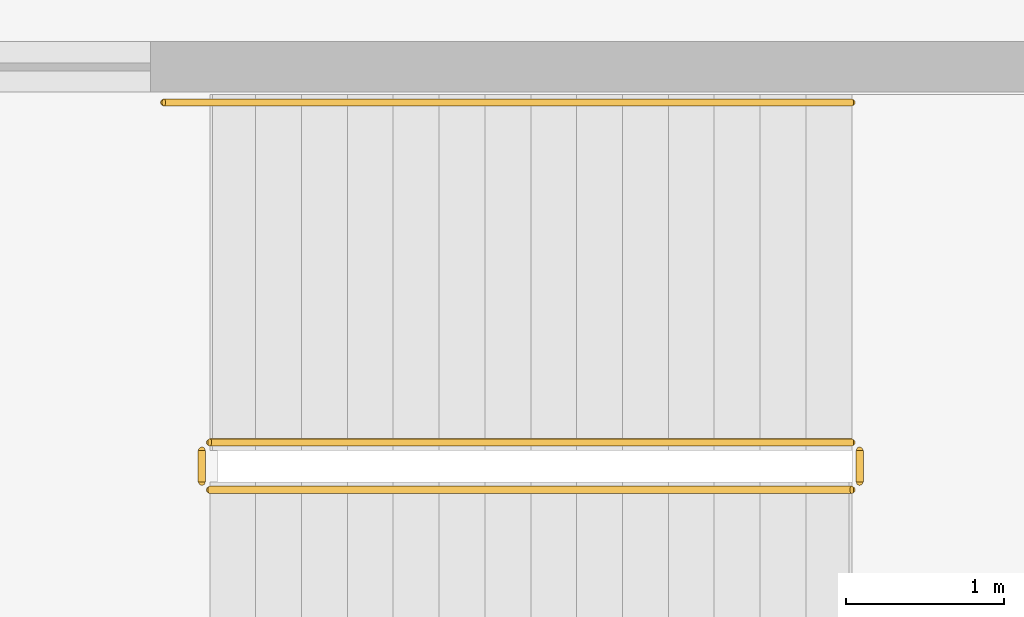
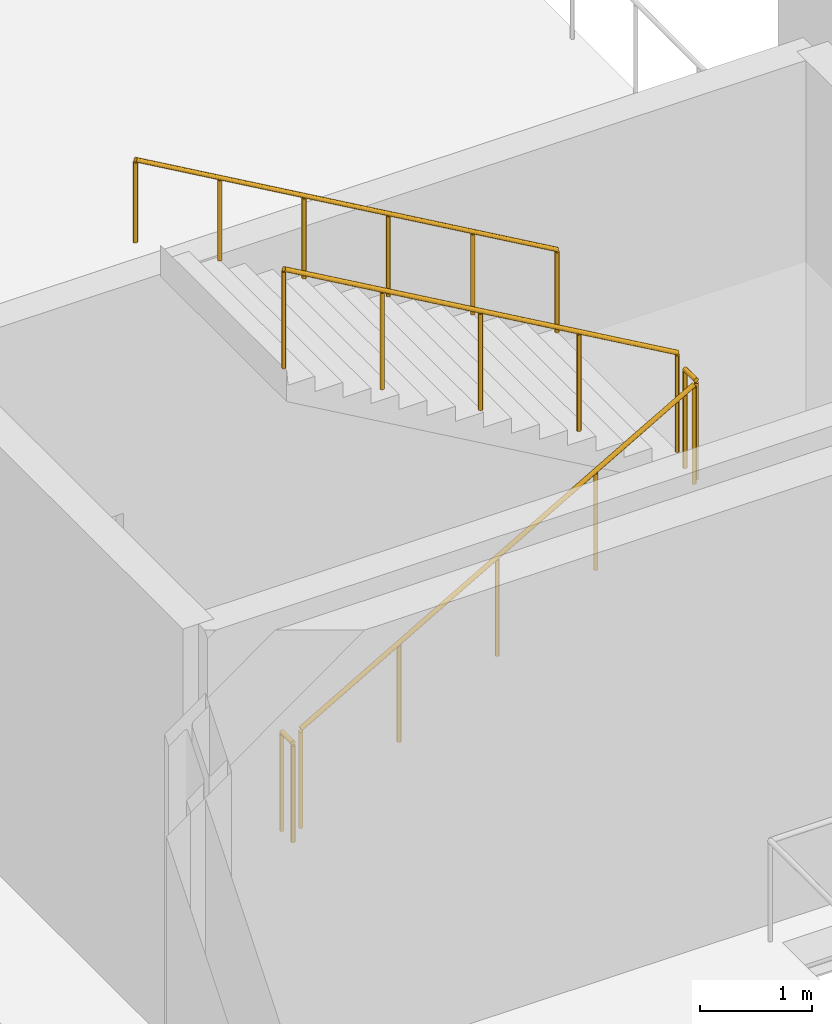
# One storey, part 67 of 73: 5 railings.
"""IFC4 building model written with IfcOpenShell, lengths in metres."""

from ifc_helpers import new_model, si_unit, direction, frame, origin, origin_2d, place, context, subcontext, project, spatial, circle, extrude, material, type_object, element, save


model = new_model("IFC4")

# Units and contexts
model_context = context("Model", 3, precision=1e-05, world=origin(), true_north=direction((0.0, 1.0)))
body_context = subcontext(model_context, "Body", "Model", "MODEL_VIEW")
ifc_project = project(units=[si_unit("LENGTHUNIT", "METRE"), si_unit("AREAUNIT", "SQUARE_METRE"), si_unit("VOLUMEUNIT", "CUBIC_METRE"), si_unit("PLANEANGLEUNIT", "RADIAN"), si_unit("MASSUNIT", "GRAM", prefix="KILO")], contexts=[model_context])

# Site, building, storey
site_placement = place(None, origin())
site = spatial("IfcSite", under=ifc_project, at=site_placement, CompositionType="ELEMENT")
building_placement = place(site_placement, origin())
building = spatial("IfcBuilding", under=site, at=building_placement, Name="Trimount Lyric Opera House", CompositionType="ELEMENT")
storey_placement = place(building_placement, frame((0.0, 0.0, 10.0)))
storey = spatial("IfcBuildingStorey", under=building, at=storey_placement, Name="L02", CompositionType="ELEMENT", Elevation=10.0)

# Railings
ifc_material_1 = material(Name="Brushed Stainless Steel 316", Category="steel")
railing_type_1 = type_object("IfcRailingType", Name="RL-GRD110", PredefinedType="GUARDRAIL", material=ifc_material_1)
railing_1_placement = place(storey_placement, frame((67.050048828125, 87.0, 0.166748046875)))
element("IfcRailing", 1, at=railing_1_placement, inside=storey, type_object=railing_type_1, Name="L02 ST-03 stair guard 1", PredefinedType="GUARDRAIL", context=body_context, shape_type="SweptSolid", body=[
    extrude(circle(Radius=0.02392578125, at=origin_2d()), frame((0.0, 0.0, 1.076171875), z_axis=(0.867024558463, 0.0, 0.498265406207), x_axis=(0.0, 1.0, 0.0)), (0.0, 0.0, 1.0), 4.682861328125),
    extrude(circle(Radius=0.02099609375, at=origin_2d()), origin(), (0.0, 0.0, 1.0), 1.052001953125),
    extrude(circle(Radius=0.02099609375, at=origin_2d()), frame((1.01513671875, 0.0, 0.583251953125)), (0.0, 0.0, 1.0), 1.052001953125),
    extrude(circle(Radius=0.02099609375, at=origin_2d()), frame((2.030029296875, 0.0, 1.16650390625)), (0.0, 0.0, 1.0), 1.052001953125),
    extrude(circle(Radius=0.02099609375, at=origin_2d()), frame((3.044921875, 0.0, 1.75)), (0.0, 0.0, 1.0), 1.052001953125),
    extrude(circle(Radius=0.02099609375, at=origin_2d()), frame((4.06005859375, 0.0, 2.333251953125)), (0.0, 0.0, 1.0), 1.052001953125),
])
railing_2_placement = place(storey_placement, frame((71.159912109375, 87.050048828125, 2.5)))
element("IfcRailing", 2, at=railing_2_placement, inside=storey, type_object=railing_type_1, Name="L02 ST-03 stair guard 2", PredefinedType="GUARDRAIL", context=body_context, shape_type="SweptSolid", body=[
    extrude(circle(Radius=0.02392578125, at=origin_2d()), frame((0.0, 0.0, 1.076171875), z_axis=(0.0, 1.0, 0.0), x_axis=(-1.0, 0.0, 0.0)), (0.0, 0.0, 1.0), 0.199951171875),
    extrude(circle(Radius=0.02099609375, at=origin_2d()), origin(), (0.0, 0.0, 1.0), 1.052001953125),
    extrude(circle(Radius=0.02099609375, at=origin_2d()), frame((0.0, 0.199951171875, 0.0)), (0.0, 0.0, 1.0), 1.052001953125),
])
railing_3_placement = place(storey_placement, frame((71.110107421875, 87.300048828125, 2.666748046875)))
element("IfcRailing", 3, at=railing_3_placement, inside=storey, type_object=railing_type_1, Name="L02 ST-03 stair guard 3", PredefinedType="GUARDRAIL", context=body_context, shape_type="SweptSolid", body=[
    extrude(circle(Radius=0.02392578125, at=origin_2d()), frame((0.0, 0.0, 1.076171875), z_axis=(-0.867024558463, 0.0, 0.498265406207), x_axis=(0.0, -1.0, 0.0)), (0.0, 0.0, 1.0), 4.682861328125),
    extrude(circle(Radius=0.02099609375, at=origin_2d()), origin(), (0.0, 0.0, 1.0), 1.052001953125),
    extrude(circle(Radius=0.02099609375, at=origin_2d()), frame((-1.01513671875, 0.0, 0.583251953125)), (0.0, 0.0, 1.0), 1.052001953125),
    extrude(circle(Radius=0.02099609375, at=origin_2d()), frame((-2.030029296875, 0.0, 1.16650390625)), (0.0, 0.0, 1.0), 1.052001953125),
    extrude(circle(Radius=0.02099609375, at=origin_2d()), frame((-3.044921875, 0.0, 1.75)), (0.0, 0.0, 1.0), 1.052001953125),
    extrude(circle(Radius=0.02099609375, at=origin_2d()), frame((-4.06005859375, 0.0, 2.333251953125)), (0.0, 0.0, 1.0), 1.052001953125),
])
railing_4_placement = place(storey_placement, frame((67.0, 87.050048828125, 0.0)))
element("IfcRailing", 4, at=railing_4_placement, inside=storey, type_object=railing_type_1, Name="L02 ST-03 stair guard 4", PredefinedType="GUARDRAIL", context=body_context, shape_type="SweptSolid", body=[
    extrude(circle(Radius=0.02392578125, at=origin_2d()), frame((0.0, 0.0, 1.076171875), z_axis=(0.0, 1.0, 0.0), x_axis=(-1.0, 0.0, 0.0)), (0.0, 0.0, 1.0), 0.199951171875),
    extrude(circle(Radius=0.02099609375, at=origin_2d()), origin(), (0.0, 0.0, 1.0), 1.052001953125),
    extrude(circle(Radius=0.02099609375, at=origin_2d()), frame((0.0, 0.199951171875, 0.0)), (0.0, 0.0, 1.0), 1.052001953125),
])
ifc_material_2 = material(Name="Brushed Stainless Steel 316", Category="steel")
railing_type_2 = type_object("IfcRailingType", Name="RL-HND092", PredefinedType="HANDRAIL", material=ifc_material_2)
railing_5_placement = place(storey_placement, frame((71.110107421875, 89.449951171875, 2.666748046875)))
element("IfcRailing", 5, at=railing_5_placement, inside=storey, type_object=railing_type_2, Name="L02 ST-03 stair handrail 2", PredefinedType="HANDRAIL", context=body_context, shape_type="SweptSolid", body=[
    extrude(circle(Radius=0.0224609375, at=origin_2d()), frame((0.0, 0.0, 0.8974609375), z_axis=(-0.866766478692, 0.0, 0.498714218181), x_axis=(0.0, -1.0, 0.0)), (0.0, 0.0, 1.0), 5.018798828125),
    extrude(circle(Radius=0.02099609375, at=origin_2d()), origin(), (0.0, 0.0, 1.0), 0.875),
    extrude(circle(Radius=0.02099609375, at=origin_2d()), frame((-0.8701171875, 0.0, 0.50048828125)), (0.0, 0.0, 1.0), 0.875),
    extrude(circle(Radius=0.02099609375, at=origin_2d()), frame((-1.739990234375, 0.0, 1.001220703125)), (0.0, 0.0, 1.0), 0.875),
    extrude(circle(Radius=0.02099609375, at=origin_2d()), frame((-2.610107421875, 0.0, 1.501708984375)), (0.0, 0.0, 1.0), 0.875),
    extrude(circle(Radius=0.02099609375, at=origin_2d()), frame((-3.47998046875, 0.0, 2.00244140625)), (0.0, 0.0, 1.0), 0.875),
    extrude(circle(Radius=0.02099609375, at=origin_2d()), frame((-4.35009765625, 0.0, 2.5029296875)), (0.0, 0.0, 1.0), 0.875),
])

save(model, "model.ifc")
